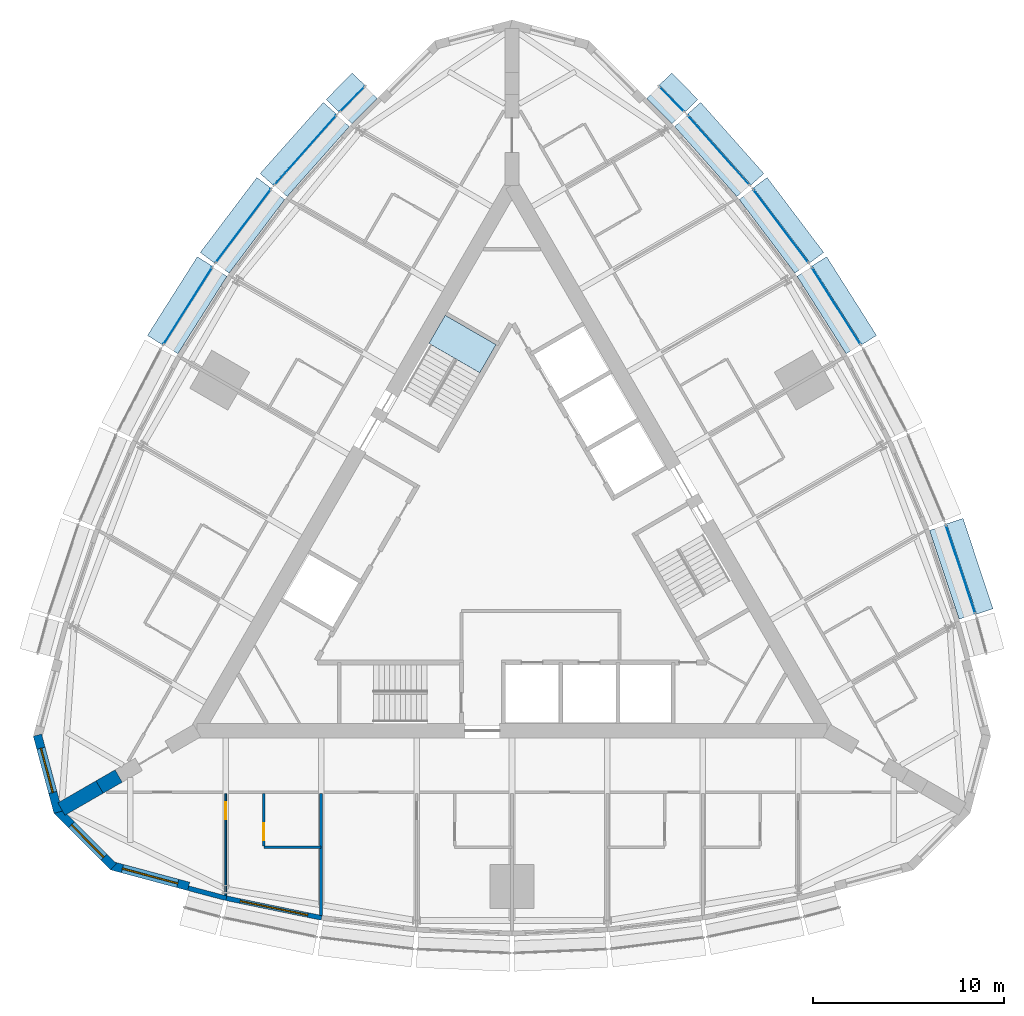
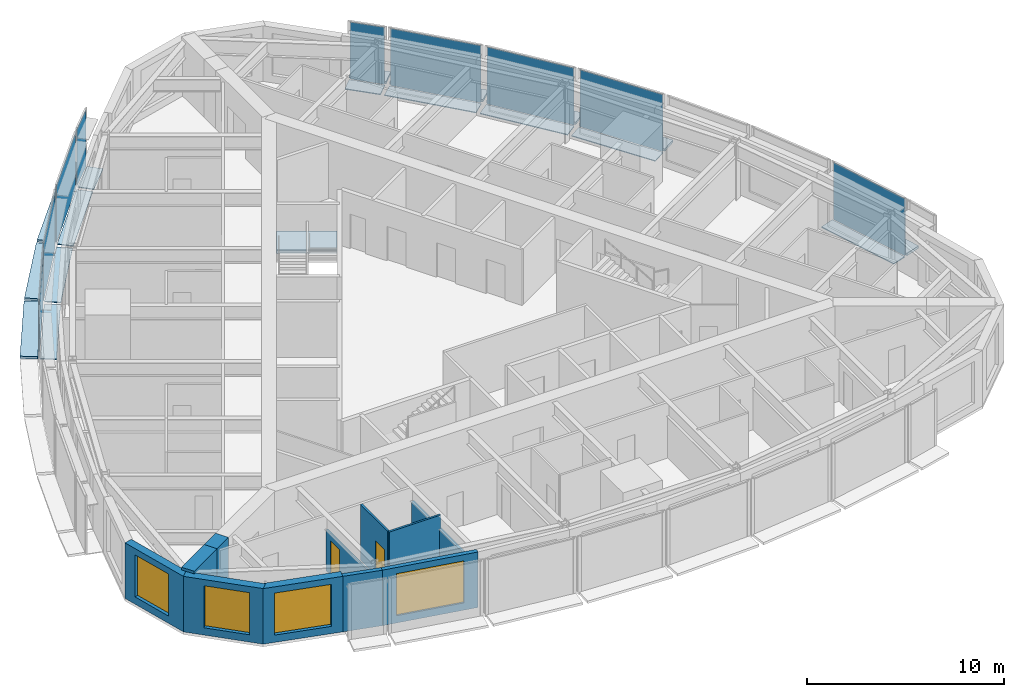
# One storey, part 8 of 15: 27 plates, 11 walls, 4 windows, 2 doors, 1 slab, 6 openings, 10 elements without a shape of their own.
"""IFC4 building model written with IfcOpenShell, lengths in metres."""

from ifc_helpers import new_model, si_unit, direction, frame, frame_2d, origin, origin_2d, place, context, subcontext, project, spatial, polyline, rectangle, outline, extrude, material, layer, layer_set, type_object, element, fill, aggregate, save


model = new_model("IFC4")

# Units and contexts
model_context = context("Model", 3, precision=1e-05, world=origin(), true_north=direction((0.0, 1.0)))
body_context = subcontext(model_context, "Body", "Model", "MODEL_VIEW")
ifc_project = project(units=[si_unit("LENGTHUNIT", "METRE"), si_unit("AREAUNIT", "SQUARE_METRE"), si_unit("VOLUMEUNIT", "CUBIC_METRE"), si_unit("PLANEANGLEUNIT", "RADIAN"), si_unit("MASSUNIT", "GRAM", prefix="KILO")], contexts=[model_context])

# Site, building, storey
site_placement = place(None, origin())
site = spatial("IfcSite", under=ifc_project, at=site_placement, CompositionType="ELEMENT")
building_placement = place(site_placement, origin())
building = spatial("IfcBuilding", under=site, at=building_placement, Name="Trikona Tower", CompositionType="ELEMENT")
storey_placement = place(building_placement, frame((0.0, 0.0, 222.5)))
storey = spatial("IfcBuildingStorey", under=building, at=storey_placement, Name="L59", CompositionType="ELEMENT", Elevation=222.5)

# Plates
ifc_material_1 = material(Name="Aluminium bar grating", Category="aluminium")
ifc_layer_1 = layer(ifc_material_1, 0.050048828125)
ifc_layer_set_1 = layer_set([ifc_layer_1], Name="Cavity catwalk grating")
plate_type_1 = type_object("IfcPlateType", Name="Cavity catwalk grating", PredefinedType="USERDEFINED", material=ifc_layer_set_1)
plate_1_placement = place(storey_placement, frame((23.05078125, -1.22314453125, -0.0498046875), z_axis=(0.0, 0.0, 1.0), x_axis=(-0.315092532747, 0.949060954737, 0.0)))
element("IfcPlate", 1, at=plate_1_placement, inside=storey, type_object=plate_type_1, Name="Cavity catwalk L59-13", ObjectType="CATWALK GRATING", PredefinedType="USERDEFINED", context=body_context, shape_type="SweptSolid", body=[
    extrude(rectangle(XDim=4.90478515625, YDim=0.840087890625, at=origin_2d()), origin(), (0.0, 0.0, 1.0), 0.050048828125),
])
plate_2_placement = place(storey_placement, frame((16.57666015625, 12.477294921875, -0.0498046875), z_axis=(0.0, 0.0, 1.0), x_axis=(-0.535204777743, 0.844722348397, 0.0)))
element("IfcPlate", 2, at=plate_2_placement, inside=storey, type_object=plate_type_1, Name="Cavity catwalk L59-16", ObjectType="CATWALK GRATING", PredefinedType="USERDEFINED", context=body_context, shape_type="SweptSolid", body=[
    extrude(rectangle(XDim=4.80419921875, YDim=0.840087890625, at=origin_2d()), origin(), (0.0, 0.0, 1.0), 0.050048828125),
])
plate_3_placement = place(storey_placement, frame((13.70068359375, 16.6298828125, -0.0498046875), z_axis=(0.0, 0.0, 1.0), x_axis=(-0.602401684924, 0.798193090674, 0.0)))
element("IfcPlate", 3, at=plate_3_placement, inside=storey, type_object=plate_type_1, Name="Cavity catwalk L59-17", ObjectType="CATWALK GRATING", PredefinedType="USERDEFINED", context=body_context, shape_type="SweptSolid", body=[
    extrude(rectangle(XDim=4.837890625, YDim=0.840087890625, at=origin_2d()), origin(), (0.0, 0.0, 1.0), 0.050048828125),
])
plate_4_placement = place(storey_placement, frame((10.466064453125, 20.57421875, -0.0498046875), z_axis=(0.0, 0.0, 1.0), x_axis=(-0.664367239113, 0.747406296196, 0.0)))
element("IfcPlate", 4, at=plate_4_placement, inside=storey, type_object=plate_type_1, Name="Cavity catwalk L59-18", ObjectType="CATWALK GRATING", PredefinedType="USERDEFINED", context=body_context, shape_type="SweptSolid", body=[
    extrude(rectangle(XDim=4.90478515625, YDim=0.840087890625, at=origin_2d()), origin(), (0.0, 0.0, 1.0), 0.050048828125),
])
for number, where, z_axis, x_axis, name in (
    (5, (8.0263671875, 23.23291015625, -0.0498046875), (0.0, 0.0, 1.0), (-0.704151057285, 0.710050201412, 0.0), "Cavity catwalk L59-19"),
    (6, (-8.0263671875, 23.23291015625, -0.0498046875), (0.0, 0.0, 1.0), (-0.704151057285, -0.710050201412, 0.0), "Cavity catwalk L59-24"),
):
    element("IfcPlate", number, at=place(storey_placement, frame(where, z_axis=z_axis, x_axis=x_axis)), inside=storey, type_object=plate_type_1, Name=name, ObjectType="CATWALK GRATING", PredefinedType="USERDEFINED", context=body_context, shape_type="SweptSolid", body=[
        extrude(rectangle(XDim=1.868408203125, YDim=0.840087890625, at=origin_2d()), origin(), (0.0, 0.0, 1.0), 0.050048828125),
    ])
plate_5_placement = place(storey_placement, frame((-10.466064453125, 20.57421875, -0.0498046875), z_axis=(0.0, 0.0, 1.0), x_axis=(-0.664367239113, -0.747406296196, 0.0)))
element("IfcPlate", 7, at=plate_5_placement, inside=storey, type_object=plate_type_1, Name="Cavity catwalk L59-25", ObjectType="CATWALK GRATING", PredefinedType="USERDEFINED", context=body_context, shape_type="SweptSolid", body=[
    extrude(rectangle(XDim=4.90478515625, YDim=0.840087890625, at=origin_2d()), origin(), (0.0, 0.0, 1.0), 0.050048828125),
])
plate_6_placement = place(storey_placement, frame((-13.70068359375, 16.6298828125, -0.0498046875), z_axis=(0.0, 0.0, 1.0), x_axis=(-0.602401684924, -0.798193090674, 0.0)))
element("IfcPlate", 8, at=plate_6_placement, inside=storey, type_object=plate_type_1, Name="Cavity catwalk L59-26", ObjectType="CATWALK GRATING", PredefinedType="USERDEFINED", context=body_context, shape_type="SweptSolid", body=[
    extrude(rectangle(XDim=4.837890625, YDim=0.840087890625, at=origin_2d()), origin(), (0.0, 0.0, 1.0), 0.050048828125),
])
plate_7_placement = place(storey_placement, frame((-16.57666015625, 12.477294921875, -0.0498046875), z_axis=(0.0, 0.0, 1.0), x_axis=(-0.535204777743, -0.844722348397, 0.0)))
element("IfcPlate", 9, at=plate_7_placement, inside=storey, type_object=plate_type_1, Name="Cavity catwalk L59-27", ObjectType="CATWALK GRATING", PredefinedType="USERDEFINED", context=body_context, shape_type="SweptSolid", body=[
    extrude(rectangle(XDim=4.80419921875, YDim=0.840087890625, at=origin_2d()), origin(), (0.0, 0.0, 1.0), 0.050048828125),
])

# Curtain wall, plate
ifc_material_2 = material(Name="Aluminium curtain wall system", Category="aluminium")
curtain_wall_type = type_object("IfcCurtainWallType", Name="Curtain wall DS3", PredefinedType="NOTDEFINED", material=ifc_material_2)
curtain_wall_1_placement = place(storey_placement, origin())
curtain_wall_1 = element("IfcCurtainWall", 10, at=curtain_wall_1_placement, inside=storey, type_object=curtain_wall_type, Name="Curtain wall DS3 L59", PredefinedType="NOTDEFINED")
ifc_material_3 = material(Name="Laminated clear glass", Category="glass")
ifc_layer_2 = layer(ifc_material_3, 0.028076171875)
ifc_layer_set_2 = layer_set([ifc_layer_2], Name="Glass panel DS3")
plate_type_2 = type_object("IfcPlateType", Name="Glass panel DS3", PredefinedType="CURTAIN_PANEL", material=ifc_layer_set_2)
plate_8_placement = place(storey_placement, frame((23.50634765625, -1.072021484375, 0.0), z_axis=(0.0, 0.0, 1.0), x_axis=(-0.315078038687, 0.949065766708, 0.0)))
plate_8 = element("IfcPlate", 11, at=plate_8_placement, type_object=plate_type_2, Name="CW-DS3 panel 1.1", PredefinedType="CURTAIN_PANEL", context=body_context, shape_type="SweptSolid", body=[
    extrude(rectangle(XDim=4.8447265625, YDim=0.028076171875, at=origin_2d()), origin(), (0.0, 0.0, 1.0), 3.530029296875),
])
aggregate(curtain_wall_1, [plate_8])

curtain_wall_2_placement = place(storey_placement, origin())
curtain_wall_2 = element("IfcCurtainWall", 12, at=curtain_wall_2_placement, inside=storey, type_object=curtain_wall_type, Name="Curtain wall DS3 L59", PredefinedType="NOTDEFINED")
plate_9_placement = place(storey_placement, frame((16.982177734375, 12.734130859375, 0.0), z_axis=(0.0, 0.0, 1.0), x_axis=(-0.535197227854, 0.844727131858, 0.0)))
plate_9 = element("IfcPlate", 13, at=plate_9_placement, type_object=plate_type_2, Name="CW-DS3 panel 1.1", PredefinedType="CURTAIN_PANEL", context=body_context, shape_type="SweptSolid", body=[
    extrude(rectangle(XDim=4.744140625, YDim=0.028076171875, at=origin_2d()), origin(), (0.0, 0.0, 1.0), 3.530029296875),
])
aggregate(curtain_wall_2, [plate_9])

curtain_wall_3_placement = place(storey_placement, origin())
curtain_wall_3 = element("IfcCurtainWall", 14, at=curtain_wall_3_placement, inside=storey, type_object=curtain_wall_type, Name="Curtain wall DS3 L59", PredefinedType="NOTDEFINED")
plate_10_placement = place(storey_placement, frame((14.083740234375, 16.9189453125, 0.0), z_axis=(0.0, 0.0, 1.0), x_axis=(-0.602401528506, 0.798193208724, 0.0)))
plate_10 = element("IfcPlate", 15, at=plate_10_placement, type_object=plate_type_2, Name="CW-DS3 panel 1.1", PredefinedType="CURTAIN_PANEL", context=body_context, shape_type="SweptSolid", body=[
    extrude(rectangle(XDim=4.778076171875, YDim=0.028076171875, at=origin_2d()), origin(), (0.0, 0.0, 1.0), 3.530029296875),
])
aggregate(curtain_wall_3, [plate_10])

curtain_wall_4_placement = place(storey_placement, origin())
curtain_wall_4 = element("IfcCurtainWall", 16, at=curtain_wall_4_placement, inside=storey, type_object=curtain_wall_type, Name="Curtain wall DS3 L59", PredefinedType="NOTDEFINED")
plate_11_placement = place(storey_placement, frame((10.82470703125, 20.89306640625, 0.0), z_axis=(0.0, 0.0, 1.0), x_axis=(-0.664371309689, 0.747402677853, 0.0)))
plate_11 = element("IfcPlate", 17, at=plate_11_placement, type_object=plate_type_2, Name="CW-DS3 panel 1.1", PredefinedType="CURTAIN_PANEL", context=body_context, shape_type="SweptSolid", body=[
    extrude(rectangle(XDim=4.844970703125, YDim=0.028076171875, at=origin_2d()), origin(), (0.0, 0.0, 1.0), 3.530029296875),
])
aggregate(curtain_wall_4, [plate_11])

curtain_wall_5_placement = place(storey_placement, origin())
curtain_wall_5 = element("IfcCurtainWall", 18, at=curtain_wall_5_placement, inside=storey, type_object=curtain_wall_type, Name="Curtain wall DS3 L59", PredefinedType="NOTDEFINED")
plate_12_placement = place(storey_placement, frame((8.3671875, 23.57080078125, 0.0), z_axis=(0.0, 0.0, 1.0), x_axis=(-0.704149343903, 0.710051900554, 0.0)))
plate_12 = element("IfcPlate", 19, at=plate_12_placement, type_object=plate_type_2, Name="CW-DS3 panel 1.1", PredefinedType="CURTAIN_PANEL", context=body_context, shape_type="SweptSolid", body=[
    extrude(rectangle(XDim=1.808349609375, YDim=0.028076171875, at=origin_2d()), origin(), (0.0, 0.0, 1.0), 3.530029296875),
])
aggregate(curtain_wall_5, [plate_12])

curtain_wall_6_placement = place(storey_placement, origin())
curtain_wall_6 = element("IfcCurtainWall", 20, at=curtain_wall_6_placement, inside=storey, type_object=curtain_wall_type, Name="Curtain wall DS3 L59", PredefinedType="NOTDEFINED")
plate_13_placement = place(storey_placement, frame((-8.3671875, 23.57080078125, 0.0), z_axis=(0.0, 0.0, 1.0), x_axis=(-0.704149343903, -0.710051900554, 0.0)))
plate_13 = element("IfcPlate", 21, at=plate_13_placement, type_object=plate_type_2, Name="CW-DS3 panel 1.1", PredefinedType="CURTAIN_PANEL", context=body_context, shape_type="SweptSolid", body=[
    extrude(rectangle(XDim=1.808349609375, YDim=0.028076171875, at=origin_2d()), origin(), (0.0, 0.0, 1.0), 3.530029296875),
])
aggregate(curtain_wall_6, [plate_13])

curtain_wall_7_placement = place(storey_placement, origin())
curtain_wall_7 = element("IfcCurtainWall", 22, at=curtain_wall_7_placement, inside=storey, type_object=curtain_wall_type, Name="Curtain wall DS3 L59", PredefinedType="NOTDEFINED")
plate_14_placement = place(storey_placement, frame((-10.82470703125, 20.89306640625, 0.0), z_axis=(0.0, 0.0, 1.0), x_axis=(-0.664371309689, -0.747402677853, 0.0)))
plate_14 = element("IfcPlate", 23, at=plate_14_placement, type_object=plate_type_2, Name="CW-DS3 panel 1.1", PredefinedType="CURTAIN_PANEL", context=body_context, shape_type="SweptSolid", body=[
    extrude(rectangle(XDim=4.844970703125, YDim=0.028076171875, at=origin_2d()), origin(), (0.0, 0.0, 1.0), 3.530029296875),
])
aggregate(curtain_wall_7, [plate_14])

curtain_wall_8_placement = place(storey_placement, origin())
curtain_wall_8 = element("IfcCurtainWall", 24, at=curtain_wall_8_placement, inside=storey, type_object=curtain_wall_type, Name="Curtain wall DS3 L59", PredefinedType="NOTDEFINED")
plate_15_placement = place(storey_placement, frame((-14.083740234375, 16.9189453125, 0.0), z_axis=(0.0, 0.0, 1.0), x_axis=(-0.602401528506, -0.798193208724, 0.0)))
plate_15 = element("IfcPlate", 25, at=plate_15_placement, type_object=plate_type_2, Name="CW-DS3 panel 1.1", PredefinedType="CURTAIN_PANEL", context=body_context, shape_type="SweptSolid", body=[
    extrude(rectangle(XDim=4.778076171875, YDim=0.028076171875, at=origin_2d()), origin(), (0.0, 0.0, 1.0), 3.530029296875),
])
aggregate(curtain_wall_8, [plate_15])

curtain_wall_9_placement = place(storey_placement, origin())
curtain_wall_9 = element("IfcCurtainWall", 26, at=curtain_wall_9_placement, inside=storey, type_object=curtain_wall_type, Name="Curtain wall DS3 L59", PredefinedType="NOTDEFINED")
plate_16_placement = place(storey_placement, frame((-16.982177734375, 12.734130859375, 0.0), z_axis=(0.0, 0.0, 1.0), x_axis=(-0.535197227854, -0.844727131858, 0.0)))
plate_16 = element("IfcPlate", 27, at=plate_16_placement, type_object=plate_type_2, Name="CW-DS3 panel 1.1", PredefinedType="CURTAIN_PANEL", context=body_context, shape_type="SweptSolid", body=[
    extrude(rectangle(XDim=4.744140625, YDim=0.028076171875, at=origin_2d()), origin(), (0.0, 0.0, 1.0), 3.530029296875),
])
aggregate(curtain_wall_9, [plate_16])

# Plates
ifc_material_4 = material(Name="Aluminium plate fin, pale anodised, on stainless steel outriggers", Category="steel")
ifc_layer_3 = layer(ifc_material_4, 0.14990234375)
ifc_layer_set_3 = layer_set([ifc_layer_3], Name="Outer skin fin 900")
plate_type_3 = type_object("IfcPlateType", Name="Outer skin fin 900", PredefinedType="USERDEFINED", material=ifc_layer_set_3)
plate_17_placement = place(storey_placement, frame((23.990234375, -0.9111328125, 0.0), z_axis=(0.0, 0.0, 1.0), x_axis=(-0.315092532747, 0.949060954737, 0.0)))
element("IfcPlate", 28, at=plate_17_placement, inside=storey, type_object=plate_type_3, Name="Outer skin fin L59-13", ObjectType="FIN", PredefinedType="USERDEFINED", context=body_context, shape_type="SweptSolid", body=[
    extrude(rectangle(XDim=4.98486328125, YDim=0.89990234375, at=origin_2d()), origin(), (0.0, 0.0, 1.0), 0.14990234375),
])
plate_18_placement = place(storey_placement, frame((17.4130859375, 13.007080078125, 0.0), z_axis=(0.0, 0.0, 1.0), x_axis=(-0.535204777743, 0.844722348397, 0.0)))
element("IfcPlate", 29, at=plate_18_placement, inside=storey, type_object=plate_type_3, Name="Outer skin fin L59-16", ObjectType="FIN", PredefinedType="USERDEFINED", context=body_context, shape_type="SweptSolid", body=[
    extrude(rectangle(XDim=4.88427734375, YDim=0.89990234375, at=origin_2d()), origin(), (0.0, 0.0, 1.0), 0.14990234375),
])
plate_19_placement = place(storey_placement, frame((14.49072265625, 17.22607421875, 0.0), z_axis=(0.0, 0.0, 1.0), x_axis=(-0.602401684924, 0.798193090674, 0.0)))
element("IfcPlate", 30, at=plate_19_placement, inside=storey, type_object=plate_type_3, Name="Outer skin fin L59-17", ObjectType="FIN", PredefinedType="USERDEFINED", context=body_context, shape_type="SweptSolid", body=[
    extrude(rectangle(XDim=4.91796875, YDim=0.89990234375, at=origin_2d()), origin(), (0.0, 0.0, 1.0), 0.14990234375),
])
plate_20_placement = place(storey_placement, frame((11.2060546875, 21.23193359375, 0.0), z_axis=(0.0, 0.0, 1.0), x_axis=(-0.664367239113, 0.747406296196, 0.0)))
element("IfcPlate", 31, at=plate_20_placement, inside=storey, type_object=plate_type_3, Name="Outer skin fin L59-18", ObjectType="FIN", PredefinedType="USERDEFINED", context=body_context, shape_type="SweptSolid", body=[
    extrude(rectangle(XDim=4.98486328125, YDim=0.89990234375, at=origin_2d()), origin(), (0.0, 0.0, 1.0), 0.14990234375),
])
for number, where, z_axis, x_axis, name in (
    (32, (8.7294921875, 23.929931640625, 0.0), (0.0, 0.0, 1.0), (-0.704151057285, 0.710050201412, 0.0), "Outer skin fin L59-19"),
    (33, (-8.7294921875, 23.929931640625, 0.0), (0.0, 0.0, 1.0), (-0.704151057285, -0.710050201412, 0.0), "Outer skin fin L59-24"),
):
    element("IfcPlate", number, at=place(storey_placement, frame(where, z_axis=z_axis, x_axis=x_axis)), inside=storey, type_object=plate_type_3, Name=name, ObjectType="FIN", PredefinedType="USERDEFINED", context=body_context, shape_type="SweptSolid", body=[
        extrude(rectangle(XDim=1.9482421875, YDim=0.89990234375, at=origin_2d()), origin(), (0.0, 0.0, 1.0), 0.14990234375),
    ])
plate_21_placement = place(storey_placement, frame((-11.2060546875, 21.23193359375, 0.0), z_axis=(0.0, 0.0, 1.0), x_axis=(-0.664367239113, -0.747406296196, 0.0)))
element("IfcPlate", 34, at=plate_21_placement, inside=storey, type_object=plate_type_3, Name="Outer skin fin L59-25", ObjectType="FIN", PredefinedType="USERDEFINED", context=body_context, shape_type="SweptSolid", body=[
    extrude(rectangle(XDim=4.98486328125, YDim=0.89990234375, at=origin_2d()), origin(), (0.0, 0.0, 1.0), 0.14990234375),
])
plate_22_placement = place(storey_placement, frame((-14.49072265625, 17.22607421875, 0.0), z_axis=(0.0, 0.0, 1.0), x_axis=(-0.602401684924, -0.798193090674, 0.0)))
element("IfcPlate", 35, at=plate_22_placement, inside=storey, type_object=plate_type_3, Name="Outer skin fin L59-26", ObjectType="FIN", PredefinedType="USERDEFINED", context=body_context, shape_type="SweptSolid", body=[
    extrude(rectangle(XDim=4.91796875, YDim=0.89990234375, at=origin_2d()), origin(), (0.0, 0.0, 1.0), 0.14990234375),
])
plate_23_placement = place(storey_placement, frame((-17.4130859375, 13.007080078125, 0.0), z_axis=(0.0, 0.0, 1.0), x_axis=(-0.535204777743, -0.844722348397, 0.0)))
element("IfcPlate", 36, at=plate_23_placement, inside=storey, type_object=plate_type_3, Name="Outer skin fin L59-27", ObjectType="FIN", PredefinedType="USERDEFINED", context=body_context, shape_type="SweptSolid", body=[
    extrude(rectangle(XDim=4.88427734375, YDim=0.89990234375, at=origin_2d()), origin(), (0.0, 0.0, 1.0), 0.14990234375),
])

# Stair, slab
ifc_material_5 = material(Name="Concrete f'c 5000 psi", Category="concrete")
stair_type = type_object("IfcStairType", Name="Core stair", PredefinedType="HALF_TURN_STAIR", material=ifc_material_5)
stair_placement = place(storey_placement, origin())
stair = element("IfcStair", 37, at=stair_placement, inside=storey, type_object=stair_type, Name="Stair C L59", PredefinedType="HALF_TURN_STAIR")
ifc_material_6 = material(Name="Concrete f'c 5000 psi", Category="concrete")
ifc_layer_4 = layer(ifc_material_6, 0.199951171875)
ifc_layer_set_4 = layer_set([ifc_layer_4], Name="Stair landing 200")
slab_type = type_object("IfcSlabType", Name="Stair landing 200", PredefinedType="LANDING", material=ifc_layer_set_4)
slab_placement = place(storey_placement, frame((0.0, 0.0, 1.60009765625)))
slab = element("IfcSlab", 38, at=slab_placement, type_object=slab_type, Name="ST-C landing 2", PredefinedType="LANDING", context=body_context, shape_type="SweptSolid", body=[
    extrude(outline(polyline([(-0.837158203125, 10.702392578125), (-1.688720703125, 9.2275390625), (-4.351806640625, 10.76513671875), (-3.500244140625, 12.239990234375), (-0.837158203125, 10.702392578125)])), origin(), (0.0, 0.0, 1.0), 0.199951171875),
])
aggregate(stair, [slab])

# Wall
ifc_material_7 = material(Name="Metal stud and cement board", Category="gypsum")
ifc_layer_5 = layer(ifc_material_7, 0.1201171875)
ifc_layer_set_5 = layer_set([ifc_layer_5], Name="Bathroom wall 120")
wall_type_1 = type_object("IfcWallType", Name="Bathroom wall 120", PredefinedType="PLUMBINGWALL", material=ifc_layer_set_5)
wall_1_placement = place(storey_placement, frame((-13.0, -15.626220703125, 0.0), z_axis=(0.0, 0.0, 1.0), x_axis=(1.0, 0.0, 0.0)))
element("IfcWall", 39, at=wall_1_placement, inside=storey, type_object=wall_type_1, Name="Bathroom wall 5901.1", PredefinedType="PLUMBINGWALL", context=body_context, shape_type="SweptSolid", body=[
    extrude(rectangle(XDim=3.0, YDim=0.1201171875, at=frame_2d((1.5, 0.0))), origin(), (0.0, 0.0, 1.0), 3.43505859375),
])

# Wall, opening, door
wall_2_placement = place(storey_placement, frame((-13.0, -12.826416015625, 0.0), z_axis=(0.0, 0.0, 1.0), x_axis=(0.0, -1.0, 0.0)))
wall_2 = element("IfcWall", 40, at=wall_2_placement, inside=storey, type_object=wall_type_1, Name="Bathroom wall 5901.1", PredefinedType="PLUMBINGWALL", context=body_context, shape_type="SweptSolid", body=[
    extrude(rectangle(XDim=2.739990234375, YDim=0.1201171875, at=frame_2d((1.3701171875, 0.0))), origin(), (0.0, 0.0, 1.0), 3.43505859375),
])
opening_1_placement = place(wall_2_placement, frame((1.550048828125, 0.0, 0.0)))
opening_1 = element("IfcOpeningElement", 41, at=opening_1_placement, cuts=wall_2, Name="Opening D2", PredefinedType="OPENING", context=body_context, shape_type="SweptSolid", body=[
    extrude(rectangle(XDim=0.89990234375, YDim=2.1298828125, at=frame_2d((0.449951171875, 1.06494140625))), frame((0.0, 0.070068359375, 0.0), z_axis=(0.0, -1.0, 0.0), x_axis=(1.0, 0.0, 0.0)), (0.0, 0.0, 1.0), 0.14013671875),
])
ifc_material_8 = material(Name="Steel door frame with solid-core timber leaf", Category="steel")
door_type_1 = type_object("IfcDoorType", Name="Bathroom door 900x2130", OperationType="SLIDING_TO_LEFT", PredefinedType="DOOR", material=ifc_material_8)
door_1_placement = place(opening_1_placement, origin())
door_1 = element("IfcDoor", 42, at=door_1_placement, inside=storey, type_object=door_type_1, Name="Bathroom door 5901.1", OperationType="SLIDING_TO_LEFT", OverallHeight=2.1298828125, OverallWidth=0.89990234375, PredefinedType="DOOR", context=body_context, shape_type="SweptSolid", body=[
    extrude(rectangle(XDim=0.89990234375, YDim=2.1298828125, at=frame_2d((0.449951171875, 1.06494140625))), frame((0.0, 0.02490234375, 0.0), z_axis=(0.0, -1.0, 0.0), x_axis=(1.0, 0.0, 0.0)), (0.0, 0.0, 1.0), 0.050048828125),
])
fill(opening_1, door_1)

# Wall, opening, window
ifc_material_9 = material(Name="Brick-faced precast concrete", Category="masonry")
ifc_layer_6 = layer(ifc_material_9, 0.449951171875)
ifc_layer_set_6 = layer_set([ifc_layer_6], Name="Brick-faced corner wall 450")
wall_type_2 = type_object("IfcWallType", Name="Brick-faced corner wall 450", PredefinedType="SOLIDWALL", material=ifc_layer_set_6)
wall_3_placement = place(storey_placement, frame((-24.865478515625, -9.7568359375, 0.0), z_axis=(0.0, 0.0, 1.0), x_axis=(0.258799282522, -0.96593112144, 0.0)))
wall_3 = element("IfcWall", 43, at=wall_3_placement, inside=storey, type_object=wall_type_2, Name="External wall L59-33", PredefinedType="SOLIDWALL", context=body_context, shape_type="SweptSolid", body=[
    extrude(outline(polyline([(4.183837890625, 0.22509765625), (4.12451171875, 0.22509765625), (3.705078125, 0.112548828125), (3.675048828125, 0.22509765625), (0.0, 0.22509765625), (0.0, -0.22509765625), (4.183837890625, -0.22509765625), (4.183837890625, 0.22509765625)])), origin(), (0.0, 0.0, 1.0), 3.43505859375),
])
opening_2_placement = place(wall_3_placement, frame((0.712646484375, 0.0, 0.449951171875)))
opening_2 = element("IfcOpeningElement", 44, at=opening_2_placement, cuts=wall_3, Name="Opening W2426", PredefinedType="OPENING", context=body_context, shape_type="SweptSolid", body=[
    extrude(rectangle(XDim=2.39990234375, YDim=2.60009765625, at=frame_2d((1.199951171875, 1.300048828125))), frame((0.0, 0.23486328125, 0.0), z_axis=(0.0, -1.0, 0.0), x_axis=(1.0, 0.0, 0.0)), (0.0, 0.0, 1.0), 0.469970703125),
])
ifc_material_10 = material(Name="Aluminium-framed double glazing", Category="aluminium")
window_type_1 = type_object("IfcWindowType", Name="Window 2400x2600", PartitioningType="SINGLE_PANEL", PredefinedType="WINDOW", material=ifc_material_10)
window_1_placement = place(opening_2_placement, origin())
window_1 = element("IfcWindow", 45, at=window_1_placement, inside=storey, type_object=window_type_1, Name="Window 5912", OverallHeight=2.60009765625, OverallWidth=2.39990234375, PartitioningType="SINGLE_PANEL", PredefinedType="WINDOW", context=body_context, shape_type="SweptSolid", body=[
    extrude(rectangle(XDim=2.39990234375, YDim=2.60009765625, at=frame_2d((1.199951171875, 1.300048828125))), frame((0.0, 0.030029296875, 0.0), z_axis=(0.0, -1.0, 0.0), x_axis=(1.0, 0.0, 0.0)), (0.0, 0.0, 1.0), 0.06005859375),
])
fill(opening_2, window_1)

wall_4_placement = place(storey_placement, frame((-23.8408203125, -13.697265625, 0.0), z_axis=(0.0, 0.0, 1.0), x_axis=(0.707077605902, -0.707135955267, 0.0)))
wall_4 = element("IfcWall", 46, at=wall_4_placement, inside=storey, type_object=wall_type_2, Name="External wall L59-34", PredefinedType="SOLIDWALL", context=body_context, shape_type="SweptSolid", body=[
    extrude(outline(polyline([(4.18408203125, 0.22509765625), (0.5087890625, 0.22509765625), (0.478759765625, 0.112548828125), (0.05908203125, 0.22509765625), (0.0, 0.22509765625), (0.0, -0.22509765625), (4.18408203125, -0.22509765625), (4.18408203125, 0.22509765625)])), origin(), (0.0, 0.0, 1.0), 3.43505859375),
])
opening_3_placement = place(wall_4_placement, frame((1.0712890625, 0.0, 0.449951171875)))
opening_3 = element("IfcOpeningElement", 47, at=opening_3_placement, cuts=wall_4, Name="Opening W2426", PredefinedType="OPENING", context=body_context, shape_type="SweptSolid", body=[
    extrude(rectangle(XDim=2.39990234375, YDim=2.60009765625, at=frame_2d((1.199951171875, 1.300048828125))), frame((0.0, 0.23486328125, 0.0), z_axis=(0.0, -1.0, 0.0), x_axis=(1.0, 0.0, 0.0)), (0.0, 0.0, 1.0), 0.469970703125),
])
window_2_placement = place(opening_3_placement, origin())
window_2 = element("IfcWindow", 48, at=window_2_placement, inside=storey, type_object=window_type_1, Name="Window 5901", OverallHeight=2.60009765625, OverallWidth=2.39990234375, PartitioningType="SINGLE_PANEL", PredefinedType="WINDOW", context=body_context, shape_type="SweptSolid", body=[
    extrude(rectangle(XDim=2.39990234375, YDim=2.60009765625, at=frame_2d((1.199951171875, 1.300048828125))), frame((0.0, 0.030029296875, 0.0), z_axis=(0.0, -1.0, 0.0), x_axis=(1.0, 0.0, 0.0)), (0.0, 0.0, 1.0), 0.06005859375),
])
fill(opening_3, window_2)

wall_5_placement = place(storey_placement, frame((-20.9833984375, -16.59765625, 0.0), z_axis=(0.0, 0.0, 1.0), x_axis=(0.965920442324, -0.258839137498, 0.0)))
wall_5 = element("IfcWall", 49, at=wall_5_placement, inside=storey, type_object=wall_type_2, Name="External wall L59-35", PredefinedType="SOLIDWALL", context=body_context, shape_type="SweptSolid", body=[
    extrude(rectangle(XDim=4.18408203125, YDim=0.449951171875, at=frame_2d((2.092041015625, 0.0))), origin(), (0.0, 0.0, 1.0), 3.43505859375),
])
opening_4_placement = place(wall_5_placement, frame((0.592041015625, 0.0, 0.449951171875)))
opening_4 = element("IfcOpeningElement", 50, at=opening_4_placement, cuts=wall_5, Name="Opening W3026", PredefinedType="OPENING", context=body_context, shape_type="SweptSolid", body=[
    extrude(rectangle(XDim=3.0, YDim=2.60009765625, at=frame_2d((1.5, 1.300048828125))), frame((0.0, 0.23486328125, 0.0), z_axis=(0.0, -1.0, 0.0), x_axis=(1.0, 0.0, 0.0)), (0.0, 0.0, 1.0), 0.469970703125),
])
ifc_material_11 = material(Name="Aluminium-framed double glazing", Category="aluminium")
window_type_2 = type_object("IfcWindowType", Name="Window 3000x2600", PartitioningType="SINGLE_PANEL", PredefinedType="WINDOW", material=ifc_material_11)
window_3_placement = place(opening_4_placement, origin())
window_3 = element("IfcWindow", 51, at=window_3_placement, inside=storey, type_object=window_type_2, Name="Window 5901", OverallHeight=2.60009765625, OverallWidth=3.0, PartitioningType="SINGLE_PANEL", PredefinedType="WINDOW", context=body_context, shape_type="SweptSolid", body=[
    extrude(rectangle(XDim=3.0, YDim=2.60009765625, at=frame_2d((1.5, 1.300048828125))), frame((0.0, 0.030029296875, 0.0), z_axis=(0.0, -1.0, 0.0), x_axis=(1.0, 0.0, 0.0)), (0.0, 0.0, 1.0), 0.06005859375),
])
fill(opening_4, window_3)

# Walls
ifc_material_12 = material(Name="Concrete f'c 10000 psi", Category="concrete")
ifc_layer_7 = layer(ifc_material_12, 0.75)
ifc_layer_set_7 = layer_set([ifc_layer_7], Name="Buttress wall 750")
wall_type_3 = type_object("IfcWallType", Name="Buttress wall 750", PredefinedType="SHEAR", material=ifc_layer_set_7)
wall_6_placement = place(storey_placement, frame((-20.6103515625, -11.8994140625, 0.0), z_axis=(0.0, 0.0, 1.0), x_axis=(-0.866009537788, -0.500027479704, 0.0)))
element("IfcWall", 52, at=wall_6_placement, inside=storey, type_object=wall_type_3, Name="Buttress wall 3 part 2", PredefinedType="SHEAR", context=body_context, shape_type="SweptSolid", body=[
    extrude(rectangle(XDim=1.15478515625, YDim=0.75, at=frame_2d((0.577392578125, 0.0))), origin(), (0.0, 0.0, 1.0), 3.60009765625),
])
wall_7_placement = place(storey_placement, frame((-21.6103515625, -12.476806640625, 0.0), z_axis=(0.0, 0.0, 1.0), x_axis=(-0.866055313784, -0.499948190782, 0.0)))
element("IfcWall", 53, at=wall_7_placement, inside=storey, type_object=wall_type_3, Name="Buttress wall 3 part 3", PredefinedType="SHEAR", context=body_context, shape_type="SweptSolid", body=[
    extrude(rectangle(XDim=2.309326171875, YDim=0.75, at=frame_2d((1.15478515625, 0.0))), origin(), (0.0, 0.0, 1.0), 3.60009765625),
])
ifc_material_13 = material(Name="Insulated precast concrete spandrel panel", Category="concrete")
ifc_layer_8 = layer(ifc_material_13, 0.25)
ifc_layer_set_8 = layer_set([ifc_layer_8], Name="Inner skin wall 250")
wall_type_4 = type_object("IfcWallType", Name="Inner skin wall 250", PredefinedType="STANDARD", material=ifc_layer_set_8)
wall_8_placement = place(storey_placement, frame((-16.968017578125, -17.777099609375, 0.0), z_axis=(0.0, 0.0, 1.0), x_axis=(0.967010286052, -0.254737328772, 0.0)))
element("IfcWall", 54, at=wall_8_placement, inside=storey, type_object=wall_type_4, Name="External wall L59-00", PredefinedType="STANDARD", context=body_context, shape_type="SweptSolid", body=[
    extrude(rectangle(XDim=2.068115234375, YDim=0.25, at=frame_2d((1.0341796875, 0.0))), origin(), (0.0, 0.0, 1.0), 3.43505859375),
])

# Wall, opening, window
wall_9_placement = place(storey_placement, frame((-14.974853515625, -18.302490234375, 0.0), z_axis=(0.0, 0.0, 1.0), x_axis=(0.979461488189, -0.201631329795, 0.0)))
wall_9 = element("IfcWall", 55, at=wall_9_placement, inside=storey, type_object=wall_type_4, Name="External wall L59-01", PredefinedType="STANDARD", context=body_context, shape_type="SweptSolid", body=[
    extrude(rectangle(XDim=5.104736328125, YDim=0.25, at=frame_2d((2.55224609375, 0.0))), origin(), (0.0, 0.0, 1.0), 3.43505859375),
])
opening_5_placement = place(wall_9_placement, frame((0.75244140625, 0.0, 0.449951171875)))
opening_5 = element("IfcOpeningElement", 56, at=opening_5_placement, cuts=wall_9, Name="Opening W3626", PredefinedType="OPENING", context=body_context, shape_type="SweptSolid", body=[
    extrude(rectangle(XDim=3.60009765625, YDim=2.60009765625, at=frame_2d((1.800048828125, 1.300048828125))), frame((0.0, 0.135009765625, 0.0), z_axis=(0.0, -1.0, 0.0), x_axis=(1.0, 0.0, 0.0)), (0.0, 0.0, 1.0), 0.27001953125),
])
ifc_material_14 = material(Name="Aluminium-framed double glazing", Category="aluminium")
window_type_3 = type_object("IfcWindowType", Name="Window 3600x2600", PartitioningType="SINGLE_PANEL", PredefinedType="WINDOW", material=ifc_material_14)
window_4_placement = place(opening_5_placement, origin())
window_4 = element("IfcWindow", 57, at=window_4_placement, inside=storey, type_object=window_type_3, Name="Window 5901.1", OverallHeight=2.60009765625, OverallWidth=3.60009765625, PartitioningType="SINGLE_PANEL", PredefinedType="WINDOW", context=body_context, shape_type="SweptSolid", body=[
    extrude(rectangle(XDim=3.60009765625, YDim=2.60009765625, at=frame_2d((1.800048828125, 1.300048828125))), frame((0.0, 0.030029296875, 0.0), z_axis=(0.0, -1.0, 0.0), x_axis=(1.0, 0.0, 0.0)), (0.0, 0.0, 1.0), 0.06005859375),
])
fill(opening_5, window_4)

# Wall
ifc_material_15 = material(Name="Metal stud and gypsum board, 1-hour acoustic", Category="gypsum")
ifc_layer_9 = layer(ifc_material_15, 0.14990234375)
ifc_layer_set_9 = layer_set([ifc_layer_9], Name="Party wall 150")
wall_type_5 = type_object("IfcWallType", Name="Party wall 150", PredefinedType="PARTITIONING", material=ifc_layer_set_9)
wall_10_placement = place(storey_placement, frame((-10.0, -12.826416015625, 0.0), z_axis=(0.0, 0.0, 1.0), x_axis=(0.0, -1.0, 0.0)))
element("IfcWall", 58, at=wall_10_placement, inside=storey, type_object=wall_type_5, Name="Partition L59 F1 u-10", PredefinedType="PARTITIONING", context=body_context, shape_type="SweptSolid", body=[
    extrude(rectangle(XDim=6.372802734375, YDim=0.14990234375, at=frame_2d((3.1865234375, 0.0))), origin(), (0.0, 0.0, 1.0), 2.589111328125),
])

# Wall, opening, door
ifc_material_16 = material(Name="Metal stud and gypsum board, acoustic", Category="gypsum")
ifc_layer_10 = layer(ifc_material_16, 0.10009765625)
ifc_layer_set_10 = layer_set([ifc_layer_10], Name="Suite partition 100")
wall_type_6 = type_object("IfcWallType", Name="Suite partition 100", PredefinedType="PARTITIONING", material=ifc_layer_set_10)
wall_11_placement = place(storey_placement, frame((-15.0, -12.826416015625, 0.0), z_axis=(0.0, 0.0, 1.0), x_axis=(0.0, -1.0, 0.0)))
wall_11 = element("IfcWall", 59, at=wall_11_placement, inside=storey, type_object=wall_type_6, Name="Suite partition L59 F1 u-15", PredefinedType="PARTITIONING", context=body_context, shape_type="SweptSolid", body=[
    extrude(rectangle(XDim=5.340087890625, YDim=0.10009765625, at=frame_2d((2.669921875, 0.0))), origin(), (0.0, 0.0, 1.0), 2.589111328125),
])
opening_6_placement = place(wall_11_placement, frame((0.449951171875, 0.0, 0.0)))
opening_6 = element("IfcOpeningElement", 60, at=opening_6_placement, cuts=wall_11, Name="Opening D13", PredefinedType="OPENING", context=body_context, shape_type="SweptSolid", body=[
    extrude(rectangle(XDim=0.89990234375, YDim=2.1298828125, at=frame_2d((0.449951171875, 1.06494140625))), frame((0.0, 0.06005859375, 0.0), z_axis=(0.0, -1.0, 0.0), x_axis=(1.0, 0.0, 0.0)), (0.0, 0.0, 1.0), 0.1201171875),
])
ifc_material_17 = material(Name="Steel door frame with solid-core timber leaf", Category="steel")
door_type_2 = type_object("IfcDoorType", Name="Suite door 900x2130", OperationType="SINGLE_SWING_LEFT", PredefinedType="DOOR", material=ifc_material_17)
door_2_placement = place(opening_6_placement, origin())
door_2 = element("IfcDoor", 61, at=door_2_placement, inside=storey, type_object=door_type_2, Name="Suite door 5901", OperationType="SINGLE_SWING_LEFT", OverallHeight=2.1298828125, OverallWidth=0.89990234375, PredefinedType="DOOR", context=body_context, shape_type="SweptSolid", body=[
    extrude(rectangle(XDim=0.89990234375, YDim=2.1298828125, at=frame_2d((0.449951171875, 1.06494140625))), frame((0.0, 0.02490234375, 0.0), z_axis=(0.0, -1.0, 0.0), x_axis=(1.0, 0.0, 0.0)), (0.0, 0.0, 1.0), 0.050048828125),
])
fill(opening_6, door_2)

save(model, "model.ifc")
